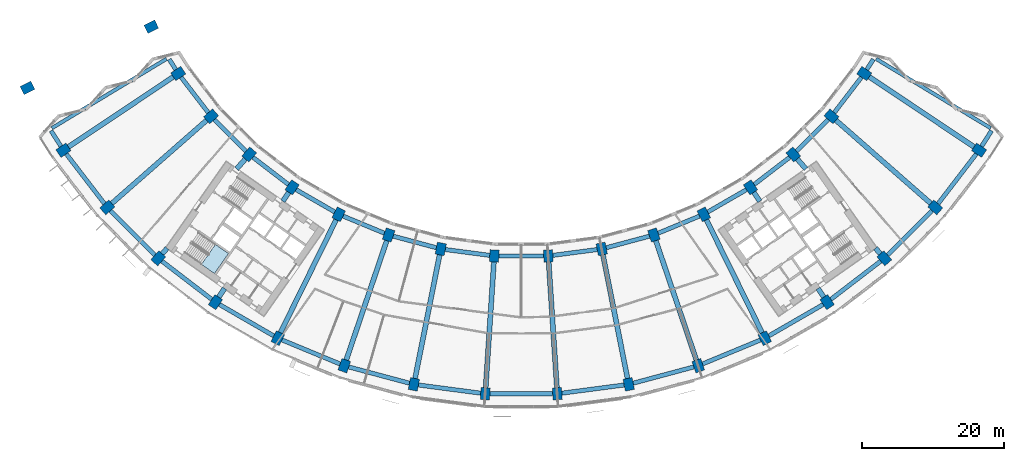
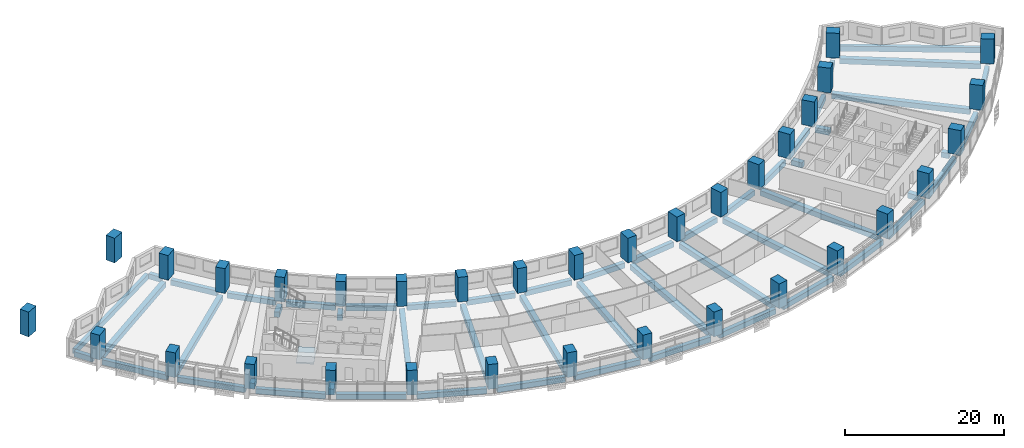
# One storey, part 1 of 31: 56 beams, 34 columns, 1 slab, 1 element without a shape of its own.
"""IFC4 building model written with IfcOpenShell, lengths in metres."""

from ifc_helpers import new_model, si_unit, direction, frame, origin, origin_2d, place, context, subcontext, project, spatial, polyline, rectangle, outline, extrude, material, layer, layer_set, material_profile, profile_set, type_object, element, aggregate, save


model = new_model("IFC4")

# Units and contexts
model_context = context("Model", 3, precision=1e-05, world=origin(), true_north=direction((0.0, 1.0)))
body_context = subcontext(model_context, "Body", "Model", "MODEL_VIEW")
ifc_project = project(units=[si_unit("LENGTHUNIT", "METRE"), si_unit("AREAUNIT", "SQUARE_METRE"), si_unit("VOLUMEUNIT", "CUBIC_METRE"), si_unit("PLANEANGLEUNIT", "RADIAN"), si_unit("MASSUNIT", "GRAM", prefix="KILO")], contexts=[model_context])

# Site, building, storey
site_placement = place(None, origin())
site = spatial("IfcSite", under=ifc_project, at=site_placement, CompositionType="ELEMENT")
building_placement = place(site_placement, origin())
building = spatial("IfcBuilding", under=site, at=building_placement, Name="Qamariyya Broadcast Tower", CompositionType="ELEMENT")
storey_placement = place(building_placement, frame((0.0, 0.0, 82.300048828125)))
storey = spatial("IfcBuildingStorey", under=building, at=storey_placement, Name="L17", CompositionType="ELEMENT", Elevation=82.300048828125)

# Columns
ifc_material_1 = material(Name="Concrete C70/85", Category="concrete")
ifc_material_profile_1 = material_profile(ifc_material_1, rectangle(XDim=1.300048828125, YDim=1.699951171875, at=origin_2d()))
ifc_profile_set_1 = profile_set([ifc_material_profile_1], Name="Concrete C70/85")
column_type = type_object("IfcColumnType", Name="RC column 1300 x 1700 C70/85", PredefinedType="COLUMN", material=ifc_profile_set_1)
for number, where, z_axis, x_axis, name in (
    (1, (-48.43310546875, -32.362060546875, 0.0), (0.0, 0.0, 1.0), (0.55557023302, -0.831469612303, 0.0), "Column C5 L17 B-R03"),
    (2, (-64.646728515625, -43.195556640625, 0.0), (0.0, 0.0, 1.0), (0.55557023302, -0.831469612303, 0.0), "Column C5 L17 C-R03"),
    (3, (-43.794677734375, -38.406982421875, 0.0), (0.0, 0.0, 1.0), (0.6593458151, -0.751839807479, 0.0), "Column C5 L17 B-R04"),
    (4, (-58.45556640625, -51.26416015625, 0.0), (0.0, 0.0, 1.0), (0.6593458151, -0.751839807479, 0.0), "Column C5 L17 C-R04"),
    (5, (-38.406982421875, -43.794677734375, 0.0), (0.0, 0.0, 1.0), (0.751839807479, -0.6593458151, 0.0), "Column C5 L17 B-R05"),
    (6, (-51.26416015625, -58.45556640625, 0.0), (0.0, 0.0, 1.0), (0.751839807479, -0.6593458151, 0.0), "Column C5 L17 C-R05"),
    (7, (-32.362060546875, -48.43310546875, 0.0), (0.0, 0.0, 1.0), (0.831469612303, -0.55557023302, 0.0), "Column C5 L17 B-R06"),
    (8, (-43.195556640625, -64.646728515625, 0.0), (0.0, 0.0, 1.0), (0.831469612303, -0.55557023302, 0.0), "Column C5 L17 C-R06"),
    (9, (-25.763427734375, -52.242919921875, 0.0), (0.0, 0.0, 1.0), (0.896872741533, -0.442288690219, 0.0), "Column C5 L17 B-R07"),
    (10, (-34.387939453125, -69.73193359375, 0.0), (0.0, 0.0, 1.0), (0.896872741533, -0.442288690219, 0.0), "Column C5 L17 C-R07"),
    (11, (-18.723876953125, -55.15869140625, 0.0), (0.0, 0.0, 1.0), (0.946930129495, -0.321439465303, 0.0), "Column C5 L17 B-R08"),
    (12, (-24.991943359375, -73.623779296875, 0.0), (0.0, 0.0, 1.0), (0.946930129495, -0.321439465303, 0.0), "Column C5 L17 C-R08"),
    (13, (-11.364013671875, -57.130859375, 0.0), (0.0, 0.0, 1.0), (0.980785280403, -0.195090322016, 0.0), "Column C5 L17 B-R09"),
    (14, (-15.168212890625, -76.256103515625, 0.0), (0.0, 0.0, 1.0), (0.980785280403, -0.195090322016, 0.0), "Column C5 L17 C-R09"),
    (15, (-3.809814453125, -58.125244140625, 0.0), (0.0, 0.0, 1.0), (0.997858923239, -0.06540312923, 0.0), "Column C5 L17 B-R10"),
    (16, (-5.085205078125, -77.58349609375, 0.0), (0.0, 0.0, 1.0), (0.997858923239, -0.06540312923, 0.0), "Column C5 L17 C-R10"),
    (17, (3.809814453125, -58.125244140625, 0.0), (0.0, 0.0, 1.0), (0.997858923239, 0.06540312923, 0.0), "Column C5 L17 B-R11"),
    (18, (5.085205078125, -77.58349609375, 0.0), (0.0, 0.0, 1.0), (0.997858923239, 0.06540312923, 0.0), "Column C5 L17 C-R11"),
    (19, (11.364013671875, -57.130859375, 0.0), (0.0, 0.0, 1.0), (0.980785280403, 0.195090322016, 0.0), "Column C5 L17 B-R12"),
    (20, (15.168212890625, -76.256103515625, 0.0), (0.0, 0.0, 1.0), (0.980785280403, 0.195090322016, 0.0), "Column C5 L17 C-R12"),
    (21, (18.723876953125, -55.15869140625, 0.0), (0.0, 0.0, 1.0), (0.946930129495, 0.321439465303, 0.0), "Column C5 L17 B-R13"),
    (22, (24.991943359375, -73.623779296875, 0.0), (0.0, 0.0, 1.0), (0.946930129495, 0.321439465303, 0.0), "Column C5 L17 C-R13"),
    (23, (25.763427734375, -52.242919921875, 0.0), (0.0, 0.0, 1.0), (0.896872741533, 0.442288690219, 0.0), "Column C5 L17 B-R14"),
    (24, (34.387939453125, -69.73193359375, 0.0), (0.0, 0.0, 1.0), (0.896872741533, 0.442288690219, 0.0), "Column C5 L17 C-R14"),
    (25, (32.362060546875, -48.43310546875, 0.0), (0.0, 0.0, 1.0), (0.831469612303, 0.55557023302, 0.0), "Column C5 L17 B-R15"),
    (26, (43.195556640625, -64.646728515625, 0.0), (0.0, 0.0, 1.0), (0.831469612303, 0.55557023302, 0.0), "Column C5 L17 C-R15"),
    (27, (38.406982421875, -43.794677734375, 0.0), (0.0, 0.0, 1.0), (0.751839807479, 0.6593458151, 0.0), "Column C5 L17 B-R16"),
    (28, (51.26416015625, -58.45556640625, 0.0), (0.0, 0.0, 1.0), (0.751839807479, 0.6593458151, 0.0), "Column C5 L17 C-R16"),
    (29, (43.794677734375, -38.406982421875, 0.0), (0.0, 0.0, 1.0), (0.6593458151, 0.751839807479, 0.0), "Column C5 L17 B-R17"),
    (30, (58.45556640625, -51.26416015625, 0.0), (0.0, 0.0, 1.0), (0.6593458151, 0.751839807479, 0.0), "Column C5 L17 C-R17"),
    (31, (48.43310546875, -32.362060546875, 0.0), (0.0, 0.0, 1.0), (0.55557023302, 0.831469612303, 0.0), "Column C5 L17 B-R18"),
    (32, (64.646728515625, -43.195556640625, 0.0), (0.0, 0.0, 1.0), (0.55557023302, 0.831469612303, 0.0), "Column C5 L17 C-R18"),
    (33, (-52.242919921875, -25.763427734375, 0.0), (0.0, 0.0, 1.0), (0.442288690219, -0.896872741533, 0.0), "Column C5 L17 B-R02"),
    (34, (-69.73193359375, -34.387939453125, 0.0), (0.0, 0.0, 1.0), (0.442288690219, -0.896872741533, 0.0), "Column C5 L17 C-R02"),
):
    element("IfcColumn", number, at=place(storey_placement, frame(where, z_axis=z_axis, x_axis=x_axis)), inside=storey, type_object=column_type, Name=name, PredefinedType="COLUMN", context=body_context, shape_type="SweptSolid", body=[
        extrude(rectangle(XDim=1.300048828125, YDim=1.699951171875, at=origin_2d()), origin(), (0.0, 0.0, 1.0), 3.800048828125),
    ])

# Beams
ifc_material_2 = material(Name="Concrete C50/60", Category="concrete")
ifc_material_profile_2 = material_profile(ifc_material_2, rectangle(XDim=0.60009765625, YDim=0.800048828125, at=origin_2d()))
ifc_profile_set_2 = profile_set([ifc_material_profile_2], Name="Concrete C50/60")
beam_type_1 = type_object("IfcBeamType", Name="RC edge beam 600 x 800 C50/60", PredefinedType="SPANDREL", material=ifc_profile_set_2)
beam_1_placement = place(storey_placement, frame((-48.03662109375, -32.878662109375, -0.699951171875), z_axis=(0.608763348773, -0.7933518672, 0.0), x_axis=(0.7933518672, 0.608763348773, 0.0)))
element("IfcBeam", 35, at=beam_1_placement, inside=storey, type_object=beam_type_1, Name="Edge beam B6 L17 B R03-R04", PredefinedType="SPANDREL", context=body_context, shape_type="SweptSolid", body=[
    extrude(rectangle(XDim=0.60009765625, YDim=0.800048828125, at=origin_2d()), origin(), (0.0, 0.0, 1.0), 6.31689453125),
])
beam_2_placement = place(storey_placement, frame((-43.333984375, -38.867431640625, -0.699951171875), z_axis=(0.707106781187, -0.707106781187, 0.0), x_axis=(0.707106781187, 0.707106781187, 0.0)))
element("IfcBeam", 36, at=beam_2_placement, inside=storey, type_object=beam_type_1, Name="Edge beam B6 L17 B R04-R05", PredefinedType="SPANDREL", context=body_context, shape_type="SweptSolid", body=[
    extrude(rectangle(XDim=0.60009765625, YDim=0.800048828125, at=origin_2d()), origin(), (0.0, 0.0, 1.0), 6.316650390625),
])
for number, where, z_axis, x_axis, name in (
    (37, (-37.89013671875, -44.191162109375, -0.699951171875), (0.7933518672, -0.608763348773, 0.0), (0.608763348773, 0.7933518672, 0.0), "Edge beam B6 L17 B R05-R06"),
    (38, (-31.7978515625, -48.7587890625, -0.699951171875), (0.866020173512, -0.500009058987, 0.0), (0.500009058987, 0.866020173512, 0.0), "Edge beam B6 L17 B R06-R07"),
):
    element("IfcBeam", number, at=place(storey_placement, frame(where, z_axis=z_axis, x_axis=x_axis)), inside=storey, type_object=beam_type_1, Name=name, PredefinedType="SPANDREL", context=body_context, shape_type="SweptSolid", body=[
        extrude(rectangle(XDim=0.60009765625, YDim=0.800048828125, at=origin_2d()), origin(), (0.0, 0.0, 1.0), 6.31689453125),
    ])
for number, where, z_axis, x_axis, name in (
    (39, (-25.16162109375, -52.4921875, -0.699951171875), (0.923884465345, -0.382671523234, 0.0), (0.382671523234, 0.923884465345, 0.0), "Edge beam B6 L17 B R07-R08"),
    (40, (-18.0947265625, -55.327392578125, -0.699951171875), (0.965931490327, -0.258797905699, 0.0), (0.258797905699, 0.965931490327, 0.0), "Edge beam B6 L17 B R08-R09"),
    (41, (-10.71826171875, -57.2158203125, -0.699951171875), (0.991445610946, -0.130520498525, 0.0), (0.130520498525, 0.991445610946, 0.0), "Edge beam B6 L17 B R09-R10"),
):
    element("IfcBeam", number, at=place(storey_placement, frame(where, z_axis=z_axis, x_axis=x_axis)), inside=storey, type_object=beam_type_1, Name=name, PredefinedType="SPANDREL", context=body_context, shape_type="SweptSolid", body=[
        extrude(rectangle(XDim=0.60009765625, YDim=0.800048828125, at=origin_2d()), origin(), (0.0, 0.0, 1.0), 6.316650390625),
    ])
beam_3_placement = place(storey_placement, frame((-3.158447265625, -58.125244140625, -0.699951171875), z_axis=(1.0, 0.0, 0.0), x_axis=(0.0, 1.0, 0.0)))
element("IfcBeam", 42, at=beam_3_placement, inside=storey, type_object=beam_type_1, Name="Edge beam B6 L17 B R10-R11", PredefinedType="SPANDREL", context=body_context, shape_type="SweptSolid", body=[
    extrude(rectangle(XDim=0.60009765625, YDim=0.800048828125, at=origin_2d()), origin(), (0.0, 0.0, 1.0), 6.31689453125),
])
for number, where, z_axis, x_axis, name in (
    (43, (4.45556640625, -58.040283203125, -0.699951171875), (0.991445610946, 0.130520498525, 0.0), (-0.130520498525, 0.991445610946, 0.0), "Edge beam B6 L17 B R11-R12"),
    (44, (11.9931640625, -56.962158203125, -0.699951171875), (0.965931490327, 0.258797905699, 0.0), (-0.258797905699, 0.965931490327, 0.0), "Edge beam B6 L17 B R12-R13"),
    (45, (19.32568359375, -54.909423828125, -0.699951171875), (0.923884465345, 0.382671523234, 0.0), (-0.382671523234, 0.923884465345, 0.0), "Edge beam B6 L17 B R13-R14"),
):
    element("IfcBeam", number, at=place(storey_placement, frame(where, z_axis=z_axis, x_axis=x_axis)), inside=storey, type_object=beam_type_1, Name=name, PredefinedType="SPANDREL", context=body_context, shape_type="SweptSolid", body=[
        extrude(rectangle(XDim=0.60009765625, YDim=0.800048828125, at=origin_2d()), origin(), (0.0, 0.0, 1.0), 6.316650390625),
    ])
for number, where, z_axis, x_axis, name in (
    (46, (26.327392578125, -51.917236328125, -0.699951171875), (0.866020173512, 0.500009058987, 0.0), (-0.500009058987, 0.866020173512, 0.0), "Edge beam B6 L17 B R14-R15"),
    (47, (32.878662109375, -48.03662109375, -0.699951171875), (0.7933518672, 0.608763348773, 0.0), (-0.608763348773, 0.7933518672, 0.0), "Edge beam B6 L17 B R15-R16"),
):
    element("IfcBeam", number, at=place(storey_placement, frame(where, z_axis=z_axis, x_axis=x_axis)), inside=storey, type_object=beam_type_1, Name=name, PredefinedType="SPANDREL", context=body_context, shape_type="SweptSolid", body=[
        extrude(rectangle(XDim=0.60009765625, YDim=0.800048828125, at=origin_2d()), origin(), (0.0, 0.0, 1.0), 6.31689453125),
    ])
beam_4_placement = place(storey_placement, frame((38.867431640625, -43.333984375, -0.699951171875), z_axis=(0.707106781187, 0.707106781187, 0.0), x_axis=(-0.707106781187, 0.707106781187, 0.0)))
element("IfcBeam", 48, at=beam_4_placement, inside=storey, type_object=beam_type_1, Name="Edge beam B6 L17 B R16-R17", PredefinedType="SPANDREL", context=body_context, shape_type="SweptSolid", body=[
    extrude(rectangle(XDim=0.60009765625, YDim=0.800048828125, at=origin_2d()), origin(), (0.0, 0.0, 1.0), 6.316650390625),
])
beam_5_placement = place(storey_placement, frame((44.191162109375, -37.89013671875, -0.699951171875), z_axis=(0.608763348773, 0.7933518672, 0.0), x_axis=(-0.7933518672, 0.608763348773, 0.0)))
element("IfcBeam", 49, at=beam_5_placement, inside=storey, type_object=beam_type_1, Name="Edge beam B6 L17 B R17-R18", PredefinedType="SPANDREL", context=body_context, shape_type="SweptSolid", body=[
    extrude(rectangle(XDim=0.60009765625, YDim=0.800048828125, at=origin_2d()), origin(), (0.0, 0.0, 1.0), 6.31689453125),
])
beam_6_placement = place(storey_placement, frame((-64.250244140625, -43.71240234375, -0.699951171875), z_axis=(0.608769622928, -0.793347052809, 0.0), x_axis=(0.793347052809, 0.608769622928, 0.0)))
element("IfcBeam", 50, at=beam_6_placement, inside=storey, type_object=beam_type_1, Name="Edge beam B6 L17 C R03-R04", PredefinedType="SPANDREL", context=body_context, shape_type="SweptSolid", body=[
    extrude(rectangle(XDim=0.60009765625, YDim=0.800048828125, at=origin_2d()), origin(), (0.0, 0.0, 1.0), 8.867431640625),
])
beam_7_placement = place(storey_placement, frame((-57.994873046875, -51.724853515625, -0.699951171875), z_axis=(0.707106781187, -0.707106781187, 0.0), x_axis=(0.707106781187, 0.707106781187, 0.0)))
element("IfcBeam", 51, at=beam_7_placement, inside=storey, type_object=beam_type_1, Name="Edge beam B6 L17 C R04-R05", PredefinedType="SPANDREL", context=body_context, shape_type="SweptSolid", body=[
    extrude(rectangle(XDim=0.60009765625, YDim=0.800048828125, at=origin_2d()), origin(), (0.0, 0.0, 1.0), 8.8671875),
])
beam_8_placement = place(storey_placement, frame((-50.747314453125, -58.85205078125, -0.699951171875), z_axis=(0.793347052809, -0.608769622928, 0.0), x_axis=(0.608769622928, 0.793347052809, 0.0)))
element("IfcBeam", 52, at=beam_8_placement, inside=storey, type_object=beam_type_1, Name="Edge beam B6 L17 C R05-R06", PredefinedType="SPANDREL", context=body_context, shape_type="SweptSolid", body=[
    extrude(rectangle(XDim=0.60009765625, YDim=0.800048828125, at=origin_2d()), origin(), (0.0, 0.0, 1.0), 8.867431640625),
])
beam_9_placement = place(storey_placement, frame((-42.63134765625, -64.972412109375, -0.699951171875), z_axis=(0.866013187848, -0.500021158025, 0.0), x_axis=(0.500021158025, 0.866013187848, 0.0)))
element("IfcBeam", 53, at=beam_9_placement, inside=storey, type_object=beam_type_1, Name="Edge beam B6 L17 C R06-R07", PredefinedType="SPANDREL", context=body_context, shape_type="SweptSolid", body=[
    extrude(rectangle(XDim=0.60009765625, YDim=0.800048828125, at=origin_2d()), origin(), (0.0, 0.0, 1.0), 8.8671875),
])
for number, where, z_axis, x_axis, name in (
    (54, (-33.7861328125, -69.981201171875, -0.699951171875), (0.923882942367, -0.382675200142, 0.0), (0.382675200142, 0.923882942367, 0.0), "Edge beam B6 L17 C R07-R08"),
    (55, (-24.36279296875, -73.79248046875, -0.699951171875), (0.965930847021, -0.258800306749, 0.0), (0.258800306749, 0.965930847021, 0.0), "Edge beam B6 L17 C R08-R09"),
    (56, (-14.5224609375, -76.341064453125, -0.699951171875), (0.991444171706, -0.13053143066, 0.0), (0.13053143066, 0.991444171706, 0.0), "Edge beam B6 L17 C R09-R10"),
):
    element("IfcBeam", number, at=place(storey_placement, frame(where, z_axis=z_axis, x_axis=x_axis)), inside=storey, type_object=beam_type_1, Name=name, PredefinedType="SPANDREL", context=body_context, shape_type="SweptSolid", body=[
        extrude(rectangle(XDim=0.60009765625, YDim=0.800048828125, at=origin_2d()), origin(), (0.0, 0.0, 1.0), 8.867431640625),
    ])
beam_10_placement = place(storey_placement, frame((-4.43359375, -77.58349609375, -0.699951171875), z_axis=(1.0, 0.0, 0.0), x_axis=(0.0, 1.0, 0.0)))
element("IfcBeam", 57, at=beam_10_placement, inside=storey, type_object=beam_type_1, Name="Edge beam B6 L17 C R10-R11", PredefinedType="SPANDREL", context=body_context, shape_type="SweptSolid", body=[
    extrude(rectangle(XDim=0.60009765625, YDim=0.800048828125, at=origin_2d()), origin(), (0.0, 0.0, 1.0), 8.8671875),
])
for number, where, z_axis, x_axis, name in (
    (58, (5.73095703125, -77.49853515625, -0.699951171875), (0.991444171706, 0.13053143066, 0.0), (-0.13053143066, 0.991444171706, 0.0), "Edge beam B6 L17 C R11-R12"),
    (59, (15.79736328125, -76.08740234375, -0.699951171875), (0.965930847021, 0.258800306749, 0.0), (-0.258800306749, 0.965930847021, 0.0), "Edge beam B6 L17 C R12-R13"),
    (60, (25.59375, -73.37451171875, -0.699951171875), (0.923882942367, 0.382675200142, 0.0), (-0.382675200142, 0.923882942367, 0.0), "Edge beam B6 L17 C R13-R14"),
):
    element("IfcBeam", number, at=place(storey_placement, frame(where, z_axis=z_axis, x_axis=x_axis)), inside=storey, type_object=beam_type_1, Name=name, PredefinedType="SPANDREL", context=body_context, shape_type="SweptSolid", body=[
        extrude(rectangle(XDim=0.60009765625, YDim=0.800048828125, at=origin_2d()), origin(), (0.0, 0.0, 1.0), 8.867431640625),
    ])
beam_11_placement = place(storey_placement, frame((34.9521484375, -69.40625, -0.699951171875), z_axis=(0.866013187848, 0.500021158025, 0.0), x_axis=(-0.500021158025, 0.866013187848, 0.0)))
element("IfcBeam", 61, at=beam_11_placement, inside=storey, type_object=beam_type_1, Name="Edge beam B6 L17 C R14-R15", PredefinedType="SPANDREL", context=body_context, shape_type="SweptSolid", body=[
    extrude(rectangle(XDim=0.60009765625, YDim=0.800048828125, at=origin_2d()), origin(), (0.0, 0.0, 1.0), 8.8671875),
])
beam_12_placement = place(storey_placement, frame((43.71240234375, -64.250244140625, -0.699951171875), z_axis=(0.793347052809, 0.608769622928, 0.0), x_axis=(-0.608769622928, 0.793347052809, 0.0)))
element("IfcBeam", 62, at=beam_12_placement, inside=storey, type_object=beam_type_1, Name="Edge beam B6 L17 C R15-R16", PredefinedType="SPANDREL", context=body_context, shape_type="SweptSolid", body=[
    extrude(rectangle(XDim=0.60009765625, YDim=0.800048828125, at=origin_2d()), origin(), (0.0, 0.0, 1.0), 8.867431640625),
])
beam_13_placement = place(storey_placement, frame((51.724853515625, -57.994873046875, -0.699951171875), z_axis=(0.707106781187, 0.707106781187, 0.0), x_axis=(-0.707106781187, 0.707106781187, 0.0)))
element("IfcBeam", 63, at=beam_13_placement, inside=storey, type_object=beam_type_1, Name="Edge beam B6 L17 C R16-R17", PredefinedType="SPANDREL", context=body_context, shape_type="SweptSolid", body=[
    extrude(rectangle(XDim=0.60009765625, YDim=0.800048828125, at=origin_2d()), origin(), (0.0, 0.0, 1.0), 8.8671875),
])
beam_14_placement = place(storey_placement, frame((58.85205078125, -50.747314453125, -0.699951171875), z_axis=(0.608769622928, 0.793347052809, 0.0), x_axis=(-0.793347052809, 0.608769622928, 0.0)))
element("IfcBeam", 64, at=beam_14_placement, inside=storey, type_object=beam_type_1, Name="Edge beam B6 L17 C R17-R18", PredefinedType="SPANDREL", context=body_context, shape_type="SweptSolid", body=[
    extrude(rectangle(XDim=0.60009765625, YDim=0.800048828125, at=origin_2d()), origin(), (0.0, 0.0, 1.0), 8.867431640625),
])
ifc_material_profile_3 = material_profile(ifc_material_2, rectangle(XDim=0.60009765625, YDim=0.800048828125, at=origin_2d()))
ifc_profile_set_3 = profile_set([ifc_material_profile_3], Name="Concrete C50/60")
beam_type_2 = type_object("IfcBeamType", Name="RC horn beam 600 x 800 C50/60", PredefinedType="BEAM", material=ifc_profile_set_3)
beam_15_placement = place(storey_placement, frame((-48.781982421875, -31.813232421875, -0.699951171875), z_axis=(-0.536656677538, 0.843800693561, 0.0), x_axis=(-0.843800693561, -0.536656677538, 0.0)))
element("IfcBeam", 65, at=beam_15_placement, inside=storey, type_object=beam_type_2, Name="Horn beam B7 L17 W B-R03", PredefinedType="BEAM", context=body_context, shape_type="SweptSolid", body=[
    extrude(rectangle(XDim=0.60009765625, YDim=0.800048828125, at=origin_2d()), origin(), (0.0, 0.0, 1.0), 1.73291015625),
])
beam_16_placement = place(storey_placement, frame((-64.99560546875, -42.64697265625, -0.699951171875), z_axis=(-0.536663993491, 0.843796040575, 0.0), x_axis=(-0.843796040575, -0.536663993491, 0.0)))
element("IfcBeam", 66, at=beam_16_placement, inside=storey, type_object=beam_type_2, Name="Horn beam B7 L17 W C-R03", PredefinedType="BEAM", context=body_context, shape_type="SweptSolid", body=[
    extrude(rectangle(XDim=0.60009765625, YDim=0.800048828125, at=origin_2d()), origin(), (0.0, 0.0, 1.0), 2.614501953125),
])
beam_17_placement = place(storey_placement, frame((48.781982421875, -31.813232421875, -0.699951171875), z_axis=(0.536656677538, 0.843800693561, 0.0), x_axis=(-0.843800693561, 0.536656677538, 0.0)))
element("IfcBeam", 67, at=beam_17_placement, inside=storey, type_object=beam_type_2, Name="Horn beam B7 L17 E B-R18", PredefinedType="BEAM", context=body_context, shape_type="SweptSolid", body=[
    extrude(rectangle(XDim=0.60009765625, YDim=0.800048828125, at=origin_2d()), origin(), (0.0, 0.0, 1.0), 1.73291015625),
])
beam_18_placement = place(storey_placement, frame((64.99560546875, -42.64697265625, -0.699951171875), z_axis=(0.536663993491, 0.843796040575, 0.0), x_axis=(-0.843796040575, 0.536663993491, 0.0)))
element("IfcBeam", 68, at=beam_18_placement, inside=storey, type_object=beam_type_2, Name="Horn beam B7 L17 E C-R18", PredefinedType="BEAM", context=body_context, shape_type="SweptSolid", body=[
    extrude(rectangle(XDim=0.60009765625, YDim=0.800048828125, at=origin_2d()), origin(), (0.0, 0.0, 1.0), 2.614501953125),
])
ifc_material_profile_4 = material_profile(ifc_material_2, rectangle(XDim=0.5, YDim=0.800048828125, at=origin_2d()))
ifc_profile_set_4 = profile_set([ifc_material_profile_4], Name="Concrete C50/60")
beam_type_3 = type_object("IfcBeamType", Name="RC horn cap beam 500 x 800 C50/60", PredefinedType="BEAM", material=ifc_profile_set_4)
for number, where, z_axis, x_axis, name in (
    (69, (-50.102783203125, -30.295166015625, -0.699951171875), (-0.85572466791, -0.517431437709, 0.0), (0.517431437709, -0.85572466791, 0.0), "Horn cap beam B8 L17 W B-C"),
    (70, (50.102783203125, -30.295166015625, -0.699951171875), (0.85572466791, -0.517431437709, 0.0), (0.517431437709, 0.85572466791, 0.0), "Horn cap beam B8 L17 E B-C"),
):
    element("IfcBeam", number, at=place(storey_placement, frame(where, z_axis=z_axis, x_axis=x_axis)), inside=storey, type_object=beam_type_3, Name=name, PredefinedType="BEAM", context=body_context, shape_type="SweptSolid", body=[
        extrude(rectangle(XDim=0.5, YDim=0.800048828125, at=origin_2d()), origin(), (0.0, 0.0, 1.0), 18.900146484375),
    ])
ifc_material_profile_5 = material_profile(ifc_material_2, rectangle(XDim=0.699951171875, YDim=0.800048828125, at=origin_2d()))
ifc_profile_set_5 = profile_set([ifc_material_profile_5], Name="Concrete C50/60")
beam_type_4 = type_object("IfcBeamType", Name="RC radial beam 700 x 800 C50/60", PredefinedType="BEAM", material=ifc_profile_set_5)
for number, where, z_axis, x_axis, name in (
    (71, (-49.139892578125, -32.834228515625, -0.699951171875), (-0.831467440413, -0.555573483469, 0.0), (0.555573483469, -0.831467440413, 0.0), "Radial beam B5 L17 R03 B-C"),
    (72, (-44.433837890625, -38.96728515625, -0.699951171875), (-0.751836168626, -0.659349964393, 0.0), (0.659349964393, -0.751836168626, 0.0), "Radial beam B5 L17 R04 B-C"),
):
    element("IfcBeam", number, at=place(storey_placement, frame(where, z_axis=z_axis, x_axis=x_axis)), inside=storey, type_object=beam_type_4, Name=name, PredefinedType="BEAM", context=body_context, shape_type="SweptSolid", body=[
        extrude(rectangle(XDim=0.699951171875, YDim=0.800048828125, at=origin_2d()), origin(), (0.0, 0.0, 1.0), 17.7998046875),
    ])
beam_19_placement = place(storey_placement, frame((-38.96728515625, -44.433837890625, -0.699951171875), z_axis=(-0.659385827408, -0.751804715743, 0.0), x_axis=(0.751804715743, -0.659385827408, 0.0)))
element("IfcBeam", 73, at=beam_19_placement, inside=storey, type_object=beam_type_4, Name="Radial beam B5 L17 R05 B-C", PredefinedType="BEAM", context=body_context, shape_type="SweptSolid", body=[
    extrude(rectangle(XDim=0.699951171875, YDim=0.800048828125, at=origin_2d()), origin(), (0.0, 0.0, 1.0), 1.8623046875),
])
beam_20_placement = place(storey_placement, frame((-50.011962890625, -57.027587890625, -0.699951171875), z_axis=(-0.659278599496, -0.751898748667, 0.0), x_axis=(0.751898748667, -0.659278599496, 0.0)))
element("IfcBeam", 74, at=beam_20_placement, inside=storey, type_object=beam_type_4, Name="Radial beam B5 L17 R05 B-C", PredefinedType="BEAM", context=body_context, shape_type="SweptSolid", body=[
    extrude(rectangle(XDim=0.699951171875, YDim=0.800048828125, at=origin_2d()), origin(), (0.0, 0.0, 1.0), 1.049072265625),
])
beam_21_placement = place(storey_placement, frame((-32.834228515625, -49.139892578125, -0.699951171875), z_axis=(-0.555518362002, -0.831504269068, 0.0), x_axis=(0.831504269068, -0.555518362002, 0.0)))
element("IfcBeam", 75, at=beam_21_placement, inside=storey, type_object=beam_type_4, Name="Radial beam B5 L17 R06 B-C", PredefinedType="BEAM", context=body_context, shape_type="SweptSolid", body=[
    extrude(rectangle(XDim=0.699951171875, YDim=0.800048828125, at=origin_2d()), origin(), (0.0, 0.0, 1.0), 1.514404296875),
])
beam_22_placement = place(storey_placement, frame((-41.89990234375, -62.707763671875, -0.699951171875), z_axis=(-0.555650227013, -0.831416156459, 0.0), x_axis=(0.831416156459, -0.555650227013, 0.0)))
element("IfcBeam", 76, at=beam_22_placement, inside=storey, type_object=beam_type_4, Name="Radial beam B5 L17 R06 B-C", PredefinedType="BEAM", context=body_context, shape_type="SweptSolid", body=[
    extrude(rectangle(XDim=0.699951171875, YDim=0.800048828125, at=origin_2d()), origin(), (0.0, 0.0, 1.0), 1.48193359375),
])
beam_23_placement = place(storey_placement, frame((-26.13916015625, -53.005126953125, -0.699951171875), z_axis=(-0.442291123934, -0.896871541353, 0.0), x_axis=(0.896871541353, -0.442291123934, 0.0)))
element("IfcBeam", 77, at=beam_23_placement, inside=storey, type_object=beam_type_4, Name="Radial beam B5 L17 R07 B-C", PredefinedType="BEAM", context=body_context, shape_type="SweptSolid", body=[
    extrude(rectangle(XDim=0.699951171875, YDim=0.800048828125, at=origin_2d()), origin(), (0.0, 0.0, 1.0), 17.800048828125),
])
beam_24_placement = place(storey_placement, frame((-18.9970703125, -55.963623046875, -0.699951171875), z_axis=(-0.321444599042, -0.94692838681, 0.0), x_axis=(0.94692838681, -0.321444599042, 0.0)))
element("IfcBeam", 78, at=beam_24_placement, inside=storey, type_object=beam_type_4, Name="Radial beam B5 L17 R08 B-C", PredefinedType="BEAM", context=body_context, shape_type="SweptSolid", body=[
    extrude(rectangle(XDim=0.699951171875, YDim=0.800048828125, at=origin_2d()), origin(), (0.0, 0.0, 1.0), 17.7998046875),
])
for number, where, z_axis, x_axis, name in (
    (79, (-11.52978515625, -57.96435546875, -0.699951171875), (-0.19509262344, -0.980784822619, 0.0), (0.980784822619, -0.19509262344, 0.0), "Radial beam B5 L17 R09 B-C"),
    (80, (-3.865234375, -58.973388671875, -0.699951171875), (-0.0654101824, -0.997858460924, 0.0), (0.997858460924, -0.0654101824, 0.0), "Radial beam B5 L17 R10 B-C"),
    (81, (3.865234375, -58.973388671875, -0.699951171875), (0.0654101824, -0.997858460924, 0.0), (0.997858460924, 0.0654101824, 0.0), "Radial beam B5 L17 R11 B-C"),
    (82, (11.52978515625, -57.96435546875, -0.699951171875), (0.19509262344, -0.980784822619, 0.0), (0.980784822619, 0.19509262344, 0.0), "Radial beam B5 L17 R12 B-C"),
):
    element("IfcBeam", number, at=place(storey_placement, frame(where, z_axis=z_axis, x_axis=x_axis)), inside=storey, type_object=beam_type_4, Name=name, PredefinedType="BEAM", context=body_context, shape_type="SweptSolid", body=[
        extrude(rectangle(XDim=0.699951171875, YDim=0.800048828125, at=origin_2d()), origin(), (0.0, 0.0, 1.0), 17.800048828125),
    ])
beam_25_placement = place(storey_placement, frame((18.9970703125, -55.963623046875, -0.699951171875), z_axis=(0.321444599042, -0.94692838681, 0.0), x_axis=(0.94692838681, 0.321444599042, 0.0)))
element("IfcBeam", 83, at=beam_25_placement, inside=storey, type_object=beam_type_4, Name="Radial beam B5 L17 R13 B-C", PredefinedType="BEAM", context=body_context, shape_type="SweptSolid", body=[
    extrude(rectangle(XDim=0.699951171875, YDim=0.800048828125, at=origin_2d()), origin(), (0.0, 0.0, 1.0), 17.7998046875),
])
beam_26_placement = place(storey_placement, frame((26.13916015625, -53.005126953125, -0.699951171875), z_axis=(0.442291123934, -0.896871541353, 0.0), x_axis=(0.896871541353, 0.442291123934, 0.0)))
element("IfcBeam", 84, at=beam_26_placement, inside=storey, type_object=beam_type_4, Name="Radial beam B5 L17 R14 B-C", PredefinedType="BEAM", context=body_context, shape_type="SweptSolid", body=[
    extrude(rectangle(XDim=0.699951171875, YDim=0.800048828125, at=origin_2d()), origin(), (0.0, 0.0, 1.0), 17.800048828125),
])
beam_27_placement = place(storey_placement, frame((32.834228515625, -49.139892578125, -0.699951171875), z_axis=(0.555518362002, -0.831504269068, 0.0), x_axis=(0.831504269068, 0.555518362002, 0.0)))
element("IfcBeam", 85, at=beam_27_placement, inside=storey, type_object=beam_type_4, Name="Radial beam B5 L17 R15 B-C", PredefinedType="BEAM", context=body_context, shape_type="SweptSolid", body=[
    extrude(rectangle(XDim=0.699951171875, YDim=0.800048828125, at=origin_2d()), origin(), (0.0, 0.0, 1.0), 1.514404296875),
])
beam_28_placement = place(storey_placement, frame((41.89990234375, -62.707763671875, -0.699951171875), z_axis=(0.555650227013, -0.831416156459, 0.0), x_axis=(0.831416156459, 0.555650227013, 0.0)))
element("IfcBeam", 86, at=beam_28_placement, inside=storey, type_object=beam_type_4, Name="Radial beam B5 L17 R15 B-C", PredefinedType="BEAM", context=body_context, shape_type="SweptSolid", body=[
    extrude(rectangle(XDim=0.699951171875, YDim=0.800048828125, at=origin_2d()), origin(), (0.0, 0.0, 1.0), 1.48193359375),
])
beam_29_placement = place(storey_placement, frame((38.96728515625, -44.433837890625, -0.699951171875), z_axis=(0.659385827408, -0.751804715743, 0.0), x_axis=(0.751804715743, 0.659385827408, 0.0)))
element("IfcBeam", 87, at=beam_29_placement, inside=storey, type_object=beam_type_4, Name="Radial beam B5 L17 R16 B-C", PredefinedType="BEAM", context=body_context, shape_type="SweptSolid", body=[
    extrude(rectangle(XDim=0.699951171875, YDim=0.800048828125, at=origin_2d()), origin(), (0.0, 0.0, 1.0), 1.8623046875),
])
beam_30_placement = place(storey_placement, frame((50.011962890625, -57.027587890625, -0.699951171875), z_axis=(0.659278599496, -0.751898748667, 0.0), x_axis=(0.751898748667, 0.659278599496, 0.0)))
element("IfcBeam", 88, at=beam_30_placement, inside=storey, type_object=beam_type_4, Name="Radial beam B5 L17 R16 B-C", PredefinedType="BEAM", context=body_context, shape_type="SweptSolid", body=[
    extrude(rectangle(XDim=0.699951171875, YDim=0.800048828125, at=origin_2d()), origin(), (0.0, 0.0, 1.0), 1.049072265625),
])
for number, where, z_axis, x_axis, name in (
    (89, (44.433837890625, -38.96728515625, -0.699951171875), (0.751836168626, -0.659349964393, 0.0), (0.659349964393, 0.751836168626, 0.0), "Radial beam B5 L17 R17 B-C"),
    (90, (49.139892578125, -32.834228515625, -0.699951171875), (0.831467440413, -0.555573483469, 0.0), (0.555573483469, 0.831467440413, 0.0), "Radial beam B5 L17 R18 B-C"),
):
    element("IfcBeam", number, at=place(storey_placement, frame(where, z_axis=z_axis, x_axis=x_axis)), inside=storey, type_object=beam_type_4, Name=name, PredefinedType="BEAM", context=body_context, shape_type="SweptSolid", body=[
        extrude(rectangle(XDim=0.699951171875, YDim=0.800048828125, at=origin_2d()), origin(), (0.0, 0.0, 1.0), 17.7998046875),
    ])

# Stair, slab
stair_type = type_object("IfcStairType", Name="Exit stair 22 risers of 173 mm", PredefinedType="HALF_TURN_STAIR", material=ifc_material_2)
stair_placement = place(storey_placement, origin())
stair = element("IfcStair", 91, at=stair_placement, inside=storey, type_object=stair_type, Name="L17 Stair W1", PredefinedType="HALF_TURN_STAIR")
ifc_layer = layer(ifc_material_2, 0.199951171875)
ifc_layer_set = layer_set([ifc_layer], Name="Stair landing")
slab_type = type_object("IfcSlabType", Name="Stair landing", PredefinedType="LANDING", material=ifc_layer_set)
slab_placement = place(storey_placement, frame((0.0, 0.0, 1.699951171875)))
slab = element("IfcSlab", 92, at=slab_placement, type_object=slab_type, Name="ST-W1 landing 1", PredefinedType="LANDING", context=body_context, shape_type="SweptSolid", body=[
    extrude(outline(polyline([(-45.169677734375, -59.319580078125), (-43.3271484375, -60.609619140625), (-41.348388671875, -57.783447265625), (-43.19091796875, -56.493408203125), (-45.169677734375, -59.319580078125)])), origin(), (0.0, 0.0, 1.0), 0.199951171875),
])
aggregate(stair, [slab])

save(model, "model.ifc")
